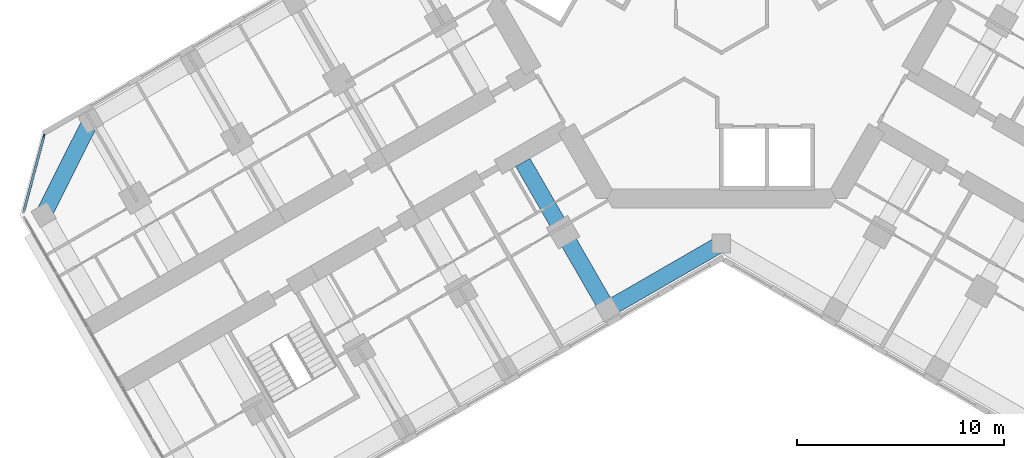
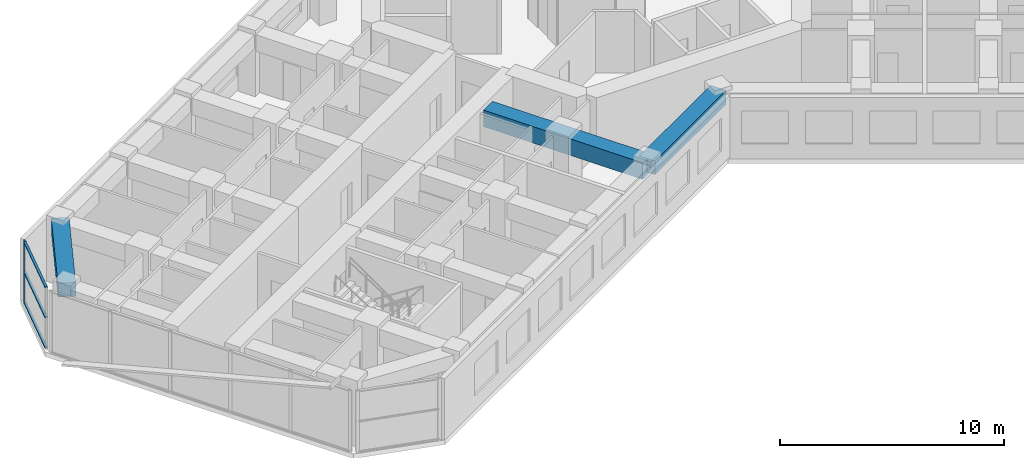
# One storey, part 3 of 19: 4 members, 3 beams, 1 element without a shape of its own.
"""IFC4 building model written with IfcOpenShell, lengths in metres."""

from ifc_helpers import new_model, si_unit, direction, frame, origin, origin_2d, place, context, subcontext, project, spatial, rectangle, extrude, material, material_profile, profile_set, type_object, element, aggregate, save


model = new_model("IFC4")

# Units and contexts
model_context = context("Model", 3, precision=1e-05, world=origin(), true_north=direction((0.0, 1.0)))
body_context = subcontext(model_context, "Body", "Model", "MODEL_VIEW")
ifc_project = project(units=[si_unit("LENGTHUNIT", "METRE"), si_unit("AREAUNIT", "SQUARE_METRE"), si_unit("VOLUMEUNIT", "CUBIC_METRE"), si_unit("PLANEANGLEUNIT", "RADIAN"), si_unit("MASSUNIT", "GRAM", prefix="KILO")], contexts=[model_context])

# Site, building, storey
site_placement = place(None, origin())
site = spatial("IfcSite", under=ifc_project, at=site_placement, CompositionType="ELEMENT")
building_placement = place(site_placement, origin())
building = spatial("IfcBuilding", under=site, at=building_placement, Name="Kosmar Iwan School Tower", CompositionType="ELEMENT")
storey_placement = place(building_placement, frame((0.0, 0.0, 145.39990234375)))
storey = spatial("IfcBuildingStorey", under=building, at=storey_placement, Name="L36", CompositionType="ELEMENT", Elevation=145.39990234375)

# Curtain wall, member
ifc_material_1 = material(Name="Dark glass in black aluminium frame", Category="aluminium")
curtain_wall_type = type_object("IfcCurtainWallType", Name="Chamfer curtain wall dark glass", PredefinedType="USERDEFINED", material=ifc_material_1)
curtain_wall_placement = place(storey_placement, origin())
curtain_wall = element("IfcCurtainWall", 1, at=curtain_wall_placement, inside=storey, type_object=curtain_wall_type, Name="Curtain wall L36-F12", ObjectType="FACETED CURTAIN WALL", PredefinedType="USERDEFINED")
ifc_material_2 = material(Name="Black anodised aluminium", Category="aluminium")
ifc_material_profile_1 = material_profile(ifc_material_2, rectangle(XDim=0.06005859375, YDim=0.159912109375, at=origin_2d()), Name="MULLION 60x160")
ifc_profile_set_1 = profile_set([ifc_material_profile_1], Name="Black anodised aluminium")
member_type_1 = type_object("IfcMemberType", Name="Mullion 60x160", PredefinedType="MULLION", material=ifc_profile_set_1)
member_1_placement = place(storey_placement, frame((-32.78076171875, -6.5732421875, 0.0), z_axis=(0.0, 0.0, 1.0), x_axis=(0.965925875495, -0.258818861462, 0.0)))
member_1 = element("IfcMember", 2, at=member_1_placement, type_object=member_type_1, Name="CW2 mullion 1", PredefinedType="MULLION", context=body_context, shape_type="SweptSolid", body=[
    extrude(rectangle(XDim=0.06005859375, YDim=0.159912109375, at=origin_2d()), origin(), (0.0, 0.0, 1.0), 3.35009765625),
])

# Beams
ifc_material_3 = material(Name="Concrete C50/60", Category="concrete")
ifc_material_profile_2 = material_profile(ifc_material_3, rectangle(XDim=0.800048828125, YDim=0.75, at=origin_2d()), Name="RC 800x750")
ifc_profile_set_2 = profile_set([ifc_material_profile_2], Name="Concrete C50/60")
beam_type_1 = type_object("IfcBeamType", Name="RC edge beam 800x750", PredefinedType="BEAM", material=ifc_profile_set_2)
beam_1_placement = place(storey_placement, frame((0.0, -11.77783203125, 2.97509765625), z_axis=(-0.866014293216, -0.500019243575, 0.0), x_axis=(0.500019243575, -0.866014293216, 0.0)))
element("IfcBeam", 3, at=beam_1_placement, inside=storey, type_object=beam_type_1, Name="Edge beam BL1", PredefinedType="BEAM", context=body_context, shape_type="SweptSolid", body=[
    extrude(rectangle(XDim=0.800048828125, YDim=0.75, at=origin_2d()), origin(), (0.0, 0.0, 1.0), 6.361083984375),
])
ifc_material_4 = material(Name="Concrete C50/60", Category="concrete")
ifc_material_profile_3 = material_profile(ifc_material_4, rectangle(XDim=0.800048828125, YDim=0.75, at=origin_2d()), Name="RC 800x750")
ifc_profile_set_3 = profile_set([ifc_material_profile_3], Name="Concrete C50/60")
beam_type_2 = type_object("IfcBeamType", Name="RC tip beam 800x750", PredefinedType="BEAM", material=ifc_profile_set_3)
beam_2_placement = place(storey_placement, frame((-30.517822265625, -5.841552734375, 2.97509765625), z_axis=(-0.44809604203, -0.893985423325, 0.0), x_axis=(0.893985423325, -0.44809604203, 0.0)))
element("IfcBeam", 4, at=beam_2_placement, inside=storey, type_object=beam_type_2, Name="Tip beam BR", PredefinedType="BEAM", context=body_context, shape_type="SweptSolid", body=[
    extrude(rectangle(XDim=0.800048828125, YDim=0.75, at=origin_2d()), origin(), (0.0, 0.0, 1.0), 5.08935546875),
])
ifc_material_5 = material(Name="Concrete C50/60", Category="concrete")
ifc_material_profile_4 = material_profile(ifc_material_5, rectangle(XDim=0.800048828125, YDim=0.89990234375, at=origin_2d()), Name="RC 800x900")
ifc_profile_set_4 = profile_set([ifc_material_profile_4], Name="Concrete C50/60")
beam_type_3 = type_object("IfcBeamType", Name="RC transverse beam 800x900", PredefinedType="BEAM", material=ifc_profile_set_4)
beam_3_placement = place(storey_placement, frame((-5.5087890625, -14.95849609375, 2.900146484375), z_axis=(-0.500000789788, 0.8660249478, 0.0), x_axis=(-0.8660249478, -0.500000789788, 0.0)))
element("IfcBeam", 5, at=beam_3_placement, inside=storey, type_object=beam_type_3, Name="Transverse beam BL1", PredefinedType="BEAM", context=body_context, shape_type="SweptSolid", body=[
    extrude(rectangle(XDim=0.800048828125, YDim=0.89990234375, at=origin_2d()), origin(), (0.0, 0.0, 1.0), 8.2001953125),
])

# Member
ifc_material_6 = material(Name="Black anodised aluminium", Category="aluminium")
ifc_material_profile_5 = material_profile(ifc_material_6, rectangle(XDim=0.1201171875, YDim=0.06005859375, at=origin_2d()), Name="TRANSOM 60x120")
ifc_profile_set_5 = profile_set([ifc_material_profile_5], Name="Black anodised aluminium")
member_type_2 = type_object("IfcMemberType", Name="Transom 60x120", PredefinedType="USERDEFINED", material=ifc_profile_set_5)
member_2_placement = place(storey_placement, frame((-32.788330078125, -6.602294921875, 0.030029296875), z_axis=(-0.258843273983, -0.965919333854, 0.0), x_axis=(0.965919333854, -0.258843273983, 0.0)))
member_2 = element("IfcMember", 6, at=member_2_placement, type_object=member_type_2, Name="CW2 transom 1.1", ObjectType="TRANSOM", PredefinedType="USERDEFINED", context=body_context, shape_type="SweptSolid", body=[
    extrude(rectangle(XDim=0.1201171875, YDim=0.06005859375, at=origin_2d()), origin(), (0.0, 0.0, 1.0), 3.718994140625),
])

member_3_placement = place(storey_placement, frame((-32.788330078125, -6.602294921875, 1.675048828125), z_axis=(-0.258843273983, -0.965919333854, 0.0), x_axis=(0.965919333854, -0.258843273983, 0.0)))
member_3 = element("IfcMember", 7, at=member_3_placement, type_object=member_type_2, Name="CW2 transom 1.2", ObjectType="TRANSOM", PredefinedType="USERDEFINED", context=body_context, shape_type="SweptSolid", body=[
    extrude(rectangle(XDim=0.1201171875, YDim=0.06005859375, at=origin_2d()), origin(), (0.0, 0.0, 1.0), 3.718994140625),
])

member_4_placement = place(storey_placement, frame((-32.788330078125, -6.602294921875, 3.320068359375), z_axis=(-0.258843273983, -0.965919333854, 0.0), x_axis=(0.965919333854, -0.258843273983, 0.0)))
member_4 = element("IfcMember", 8, at=member_4_placement, type_object=member_type_2, Name="CW2 transom 1.3", ObjectType="TRANSOM", PredefinedType="USERDEFINED", context=body_context, shape_type="SweptSolid", body=[
    extrude(rectangle(XDim=0.1201171875, YDim=0.06005859375, at=origin_2d()), origin(), (0.0, 0.0, 1.0), 3.718994140625),
])

aggregate(curtain_wall, [member_1, member_2, member_3, member_4])

save(model, "model.ifc")
